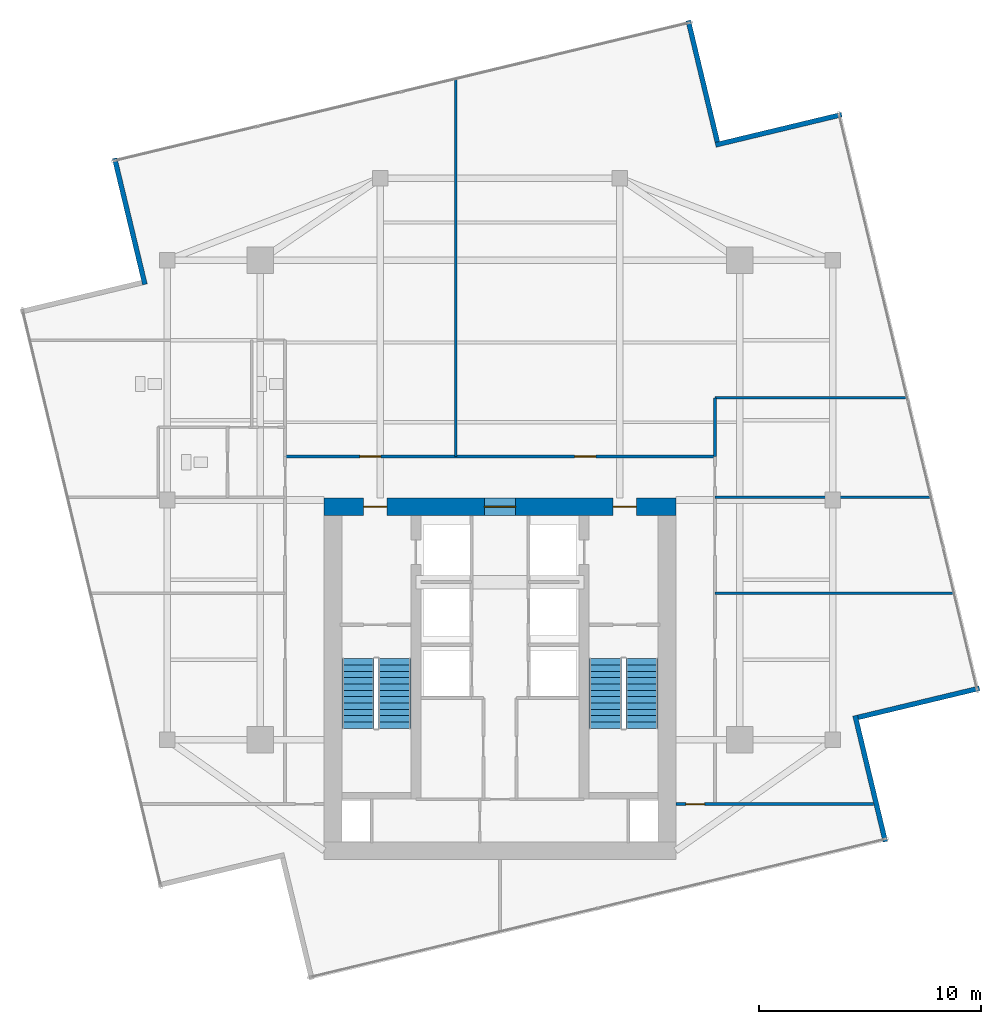
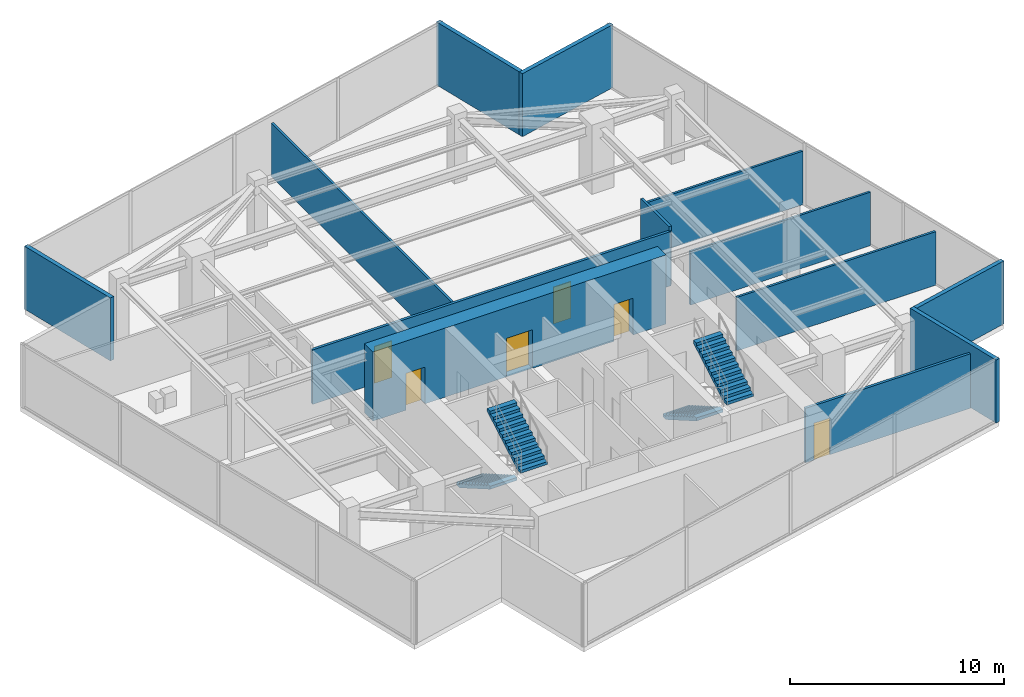
# One storey, part 20 of 22: 13 walls, 6 doors, 4 stair flights, 6 openings, 2 elements without a shape of their own.
"""IFC4 building model written with IfcOpenShell, lengths in metres."""

from ifc_helpers import new_model, si_unit, direction, frame, frame_2d, origin, place, context, subcontext, project, spatial, polyline, rectangle, outline, extrude, material, layer, layer_set, type_object, element, fill, aggregate, save


model = new_model("IFC4")

# Units and contexts
model_context = context("Model", 3, precision=1e-05, world=origin(), true_north=direction((0.0, 1.0)))
body_context = subcontext(model_context, "Body", "Model", "MODEL_VIEW")
ifc_project = project(units=[si_unit("LENGTHUNIT", "METRE"), si_unit("AREAUNIT", "SQUARE_METRE"), si_unit("VOLUMEUNIT", "CUBIC_METRE"), si_unit("PLANEANGLEUNIT", "RADIAN"), si_unit("MASSUNIT", "GRAM", prefix="KILO")], contexts=[model_context])

# Site, building, storey
site_placement = place(None, origin())
site = spatial("IfcSite", under=ifc_project, at=site_placement, CompositionType="ELEMENT")
building_placement = place(site_placement, origin())
building = spatial("IfcBuilding", under=site, at=building_placement, Name="Krantzveldt Concourse Tower", CompositionType="ELEMENT")
storey_placement = place(building_placement, frame((0.0, 0.0, 359.300048828125)))
storey = spatial("IfcBuildingStorey", under=building, at=storey_placement, Name="L88", CompositionType="ELEMENT", Elevation=359.300048828125)

# Walls
ifc_material_1 = material(Name="Anodised aluminium 6063-T6", Category="aluminium")
ifc_layer_1 = layer(ifc_material_1, 0.219970703125, Name="Anodised aluminium 6063-T6", Category="aluminium")
ifc_layer_set_1 = layer_set([ifc_layer_1], Name="Anodised aluminium 6063-T6 (WL-EXT-NOTCH220)")
wall_type_1 = type_object("IfcWallType", Name="WL-EXT-NOTCH220", PredefinedType="ELEMENTEDWALL", material=ifc_layer_set_1)
wall_1_placement = place(storey_placement, frame((45.794677734375, 42.832275390625, 0.0), z_axis=(0.0, 0.0, 1.0), x_axis=(-0.233466521361, 0.972364840687, 0.0)))
element("IfcWall", 1, at=wall_1_placement, inside=storey, type_object=wall_type_1, Name="EW-L88-NCH00", PredefinedType="ELEMENTEDWALL", context=body_context, shape_type="SweptSolid", body=[
    extrude(rectangle(XDim=5.625, YDim=0.219970703125, at=frame_2d((2.8125, 0.0))), origin(), (0.0, 0.0, 1.0), 3.599853515625),
])
for number, where, z_axis, x_axis, name in (
    (2, (18.635986328125, 42.096923828125, 0.0), (0.0, 0.0, 1.0), (0.233444040416, -0.972370238126, 0.0), "EW-L88-NCH02"),
    (3, (53.364013671875, 11.30322265625, 0.0), (0.0, 0.0, 1.0), (-0.233453521986, 0.972367961768, 0.0), "EW-L88-NCH08"),
):
    element("IfcWall", number, at=place(storey_placement, frame(where, z_axis=z_axis, x_axis=x_axis)), inside=storey, type_object=wall_type_1, Name=name, PredefinedType="ELEMENTEDWALL", context=body_context, shape_type="SweptSolid", body=[
        extrude(rectangle(XDim=5.844970703125, YDim=0.219970703125, at=frame_2d((2.92236328125, 0.0))), origin(), (0.0, 0.0, 1.0), 3.599853515625),
    ])
wall_2_placement = place(storey_placement, frame((52.13232421875, 16.9052734375, 0.0), z_axis=(0.0, 0.0, 1.0), x_axis=(0.972364840687, 0.233466521361, 0.0)))
element("IfcWall", 4, at=wall_2_placement, inside=storey, type_object=wall_type_1, Name="EW-L88-NCH09", PredefinedType="ELEMENTEDWALL", context=body_context, shape_type="SweptSolid", body=[
    extrude(rectangle(XDim=5.625, YDim=0.219970703125, at=frame_2d((2.8125, 0.0))), origin(), (0.0, 0.0, 1.0), 3.599853515625),
])
wall_3_placement = place(storey_placement, frame((51.396728515625, 44.064208984375, 0.0), z_axis=(0.0, 0.0, 1.0), x_axis=(-0.972367961768, -0.233453521986, 0.0)))
element("IfcWall", 5, at=wall_3_placement, inside=storey, type_object=wall_type_1, Name="EW-L88-NCH11", PredefinedType="ELEMENTEDWALL", context=body_context, shape_type="SweptSolid", body=[
    extrude(rectangle(XDim=5.844970703125, YDim=0.219970703125, at=frame_2d((2.92236328125, 0.0))), origin(), (0.0, 0.0, 1.0), 3.599853515625),
])
ifc_material_2 = material(Name="Fire-rated gypsum plasterboard on steel stud", Category="steel")
ifc_layer_2 = layer(ifc_material_2, 0.1201171875, Name="Fire-rated gypsum plasterboard on steel stud", Category="steel")
ifc_layer_set_2 = layer_set([ifc_layer_2], Name="Fire-rated gypsum plasterboard on steel stud (WL-PART-120)")
wall_type_2 = type_object("IfcWallType", Name="WL-PART-120", PredefinedType="PARTITIONING", material=ifc_layer_set_2)
wall_4_placement = place(storey_placement, frame((45.679931640625, 26.820068359375, 0.0), z_axis=(0.0, 0.0, 1.0), x_axis=(1.0, 0.0, 0.0)))
element("IfcWall", 6, at=wall_4_placement, inside=storey, type_object=wall_type_2, Name="WP-L88-PNTS", PredefinedType="PARTITIONING", context=body_context, shape_type="SweptSolid", body=[
    extrude(rectangle(XDim=9.738525390625, YDim=0.1201171875, at=frame_2d((4.869140625, 0.0))), origin(), (0.0, 0.0, 1.0), 3.06005859375),
])
wall_5_placement = place(storey_placement, frame((45.679931640625, 31.300048828125, 0.0), z_axis=(0.0, 0.0, 1.0), x_axis=(1.0, 0.0, 0.0)))
element("IfcWall", 7, at=wall_5_placement, inside=storey, type_object=wall_type_2, Name="WP-L88-PNTN", PredefinedType="PARTITIONING", context=body_context, shape_type="SweptSolid", body=[
    extrude(rectangle(XDim=8.6630859375, YDim=0.1201171875, at=frame_2d((4.33154296875, 0.0))), origin(), (0.0, 0.0, 1.0), 3.06005859375),
])
wall_6_placement = place(storey_placement, frame((34.0, 28.659912109375, 0.0), z_axis=(0.0, 0.0, 1.0), x_axis=(0.0, 1.0, 0.0)))
element("IfcWall", 8, at=wall_6_placement, inside=storey, type_object=wall_type_2, Name="WP-L88-ND1", PredefinedType="PARTITIONING", context=body_context, shape_type="SweptSolid", body=[
    extrude(rectangle(XDim=17.00732421875, YDim=0.1201171875, at=frame_2d((8.503662109375, 0.0))), origin(), (0.0, 0.0, 1.0), 3.06005859375),
])
wall_7_placement = place(storey_placement, frame((45.679931640625, 22.5, 0.0), z_axis=(0.0, 0.0, 1.0), x_axis=(1.0, 0.0, 0.0)))
element("IfcWall", 9, at=wall_7_placement, inside=storey, type_object=wall_type_2, Name="WP-L88-ED1", PredefinedType="PARTITIONING", context=body_context, shape_type="SweptSolid", body=[
    extrude(rectangle(XDim=10.77587890625, YDim=0.1201171875, at=frame_2d((5.387939453125, 0.0))), origin(), (0.0, 0.0, 1.0), 3.06005859375),
])

# Wall, openings, doors
ifc_layer_3 = layer(ifc_material_2, 0.139892578125, Name="Fire-rated gypsum plasterboard on steel stud", Category="steel")
ifc_layer_set_3 = layer_set([ifc_layer_3], Name="Fire-rated gypsum plasterboard on steel stud (WL-PART-140)")
wall_type_3 = type_object("IfcWallType", Name="WL-PART-140", PredefinedType="PARTITIONING", material=ifc_layer_set_3)
wall_8_placement = place(storey_placement, frame((26.320068359375, 28.659912109375, 0.0), z_axis=(0.0, 0.0, 1.0), x_axis=(1.0, 0.0, 0.0)))
wall_8 = element("IfcWall", 10, at=wall_8_placement, inside=storey, type_object=wall_type_3, Name="WP-L88-CNHDR", PredefinedType="PARTITIONING", context=body_context, shape_type="SweptSolid", body=[
    extrude(rectangle(XDim=19.35986328125, YDim=0.139892578125, at=frame_2d((9.679931640625, 0.0))), origin(), (0.0, 0.0, 1.0), 3.10986328125),
])
opening_1_placement = place(wall_8_placement, frame((3.364990234375, 0.0, 0.0)))
opening_1 = element("IfcOpeningElement", 11, at=opening_1_placement, cuts=wall_8, Name="Opening D-IN095", PredefinedType="OPENING", context=body_context, shape_type="SweptSolid", body=[
    extrude(rectangle(XDim=0.949951171875, YDim=2.10009765625, at=frame_2d((0.47509765625, 1.050048828125))), frame((0.0, 0.080078125, 0.0), z_axis=(0.0, -1.0, 0.0), x_axis=(1.0, 0.0, 0.0)), (0.0, 0.0, 1.0), 0.159912109375),
])
opening_2_placement = place(wall_8_placement, frame((13.044921875, 0.0, 0.0)))
opening_2 = element("IfcOpeningElement", 12, at=opening_2_placement, cuts=wall_8, Name="Opening D-IN095", PredefinedType="OPENING", context=body_context, shape_type="SweptSolid", body=[
    extrude(rectangle(XDim=0.949951171875, YDim=2.10009765625, at=frame_2d((0.47509765625, 1.050048828125))), frame((0.0, 0.080078125, 0.0), z_axis=(0.0, -1.0, 0.0), x_axis=(1.0, 0.0, 0.0)), (0.0, 0.0, 1.0), 0.159912109375),
])
ifc_material_3 = material(Name="Hardwood timber", Category="wood")
door_type_1 = type_object("IfcDoorType", Name="DR-INT-950", OperationType="SINGLE_SWING_LEFT", PredefinedType="DOOR", material=ifc_material_3)
door_1_placement = place(opening_1_placement, origin())
door_1 = element("IfcDoor", 13, at=door_1_placement, inside=storey, type_object=door_type_1, Name="DR-L88-NR1", OperationType="SINGLE_SWING_LEFT", OverallHeight=2.10009765625, OverallWidth=0.949951171875, PredefinedType="DOOR", context=body_context, shape_type="SweptSolid", body=[
    extrude(rectangle(XDim=0.949951171875, YDim=2.10009765625, at=frame_2d((0.47509765625, 1.050048828125))), frame((0.0, 0.02490234375, 0.0), z_axis=(0.0, -1.0, 0.0), x_axis=(1.0, 0.0, 0.0)), (0.0, 0.0, 1.0), 0.050048828125),
])
fill(opening_1, door_1)
door_2_placement = place(opening_2_placement, origin())
door_2 = element("IfcDoor", 14, at=door_2_placement, inside=storey, type_object=door_type_1, Name="DR-L88-NR2", OperationType="SINGLE_SWING_LEFT", OverallHeight=2.10009765625, OverallWidth=0.949951171875, PredefinedType="DOOR", context=body_context, shape_type="SweptSolid", body=[
    extrude(rectangle(XDim=0.949951171875, YDim=2.10009765625, at=frame_2d((0.47509765625, 1.050048828125))), frame((0.0, 0.02490234375, 0.0), z_axis=(0.0, -1.0, 0.0), x_axis=(1.0, 0.0, 0.0)), (0.0, 0.0, 1.0), 0.050048828125),
])
fill(opening_2, door_2)

# Wall, opening, door
wall_9_placement = place(storey_placement, frame((43.919921875, 13.0, 0.0), z_axis=(0.0, 0.0, 1.0), x_axis=(1.0, 0.0, 0.0)))
wall_9 = element("IfcWall", 15, at=wall_9_placement, inside=storey, type_object=wall_type_3, Name="WP-L88-CSBOTE", PredefinedType="PARTITIONING", context=body_context, shape_type="SweptSolid", body=[
    extrude(rectangle(XDim=8.91845703125, YDim=0.139892578125, at=frame_2d((4.459228515625, 0.0))), origin(), (0.0, 0.0, 1.0), 3.10986328125),
])
opening_3_placement = place(wall_9_placement, frame((0.455078125, 0.0, 0.0)))
opening_3 = element("IfcOpeningElement", 16, at=opening_3_placement, cuts=wall_9, Name="Opening D-IN085", PredefinedType="OPENING", context=body_context, shape_type="SweptSolid", body=[
    extrude(rectangle(XDim=0.85009765625, YDim=2.10009765625, at=frame_2d((0.425048828125, 1.050048828125))), frame((0.0, 0.080078125, 0.0), z_axis=(0.0, -1.0, 0.0), x_axis=(1.0, 0.0, 0.0)), (0.0, 0.0, 1.0), 0.159912109375),
])
door_type_2 = type_object("IfcDoorType", Name="DR-INT-850", OperationType="SINGLE_SWING_LEFT", PredefinedType="DOOR", material=ifc_material_3)
door_3_placement = place(opening_3_placement, origin())
door_3 = element("IfcDoor", 17, at=door_3_placement, inside=storey, type_object=door_type_2, Name="DR-L88-SR2", OperationType="SINGLE_SWING_LEFT", OverallHeight=2.10009765625, OverallWidth=0.85009765625, PredefinedType="DOOR", context=body_context, shape_type="SweptSolid", body=[
    extrude(rectangle(XDim=0.85009765625, YDim=2.10009765625, at=frame_2d((0.425048828125, 1.050048828125))), frame((0.0, 0.02490234375, 0.0), z_axis=(0.0, -1.0, 0.0), x_axis=(1.0, 0.0, 0.0)), (0.0, 0.0, 1.0), 0.050048828125),
])
fill(opening_3, door_3)

# Wall
wall_10_placement = place(storey_placement, frame((45.679931640625, 28.659912109375, 0.0), z_axis=(0.0, 0.0, 1.0), x_axis=(0.0, 1.0, 0.0)))
element("IfcWall", 18, at=wall_10_placement, inside=storey, type_object=wall_type_3, Name="WP-L88-NER", PredefinedType="PARTITIONING", context=body_context, shape_type="SweptSolid", body=[
    extrude(rectangle(XDim=2.64013671875, YDim=0.139892578125, at=frame_2d((1.320068359375, 0.0))), origin(), (0.0, 0.0, 1.0), 3.35986328125),
])

# Wall, openings, doors
ifc_material_4 = material(Name="Concrete C60/75", Category="concrete")
ifc_layer_4 = layer(ifc_material_4, 0.800048828125, Name="Concrete C60/75", Category="concrete")
ifc_layer_set_4 = layer_set([ifc_layer_4], Name="Concrete C60/75 (WL-SHEAR-800)")
wall_type_4 = type_object("IfcWallType", Name="WL-SHEAR-800", PredefinedType="SHEAR", material=ifc_layer_set_4)
wall_11_placement = place(storey_placement, frame((28.080078125, 26.39990234375, 0.0), z_axis=(0.0, 0.0, 1.0), x_axis=(1.0, 0.0, 0.0)))
wall_11 = element("IfcWall", 19, at=wall_11_placement, inside=storey, type_object=wall_type_4, Name="CW-L88-N", PredefinedType="SHEAR", context=body_context, shape_type="SweptSolid", body=[
    extrude(rectangle(XDim=15.83984375, YDim=0.800048828125, at=frame_2d((7.919921875, 0.0))), origin(), (0.0, 0.0, 1.0), 3.949951171875),
])
opening_4_placement = place(wall_11_placement, frame((7.219970703125, 0.0, 0.0)))
opening_4 = element("IfcOpeningElement", 20, at=opening_4_placement, cuts=wall_11, Name="Opening D-DB140", PredefinedType="OPENING", context=body_context, shape_type="SweptSolid", body=[
    extrude(rectangle(XDim=1.39990234375, YDim=2.199951171875, at=frame_2d((0.699951171875, 1.10009765625))), frame((0.0, 0.41015625, 0.0), z_axis=(0.0, -1.0, 0.0), x_axis=(1.0, 0.0, 0.0)), (0.0, 0.0, 1.0), 0.820068359375),
])
opening_5_placement = place(wall_11_placement, frame((1.77490234375, 0.0, 0.0)))
opening_5 = element("IfcOpeningElement", 21, at=opening_5_placement, cuts=wall_11, Name="Opening D-FD105", PredefinedType="OPENING", context=body_context, shape_type="SweptSolid", body=[
    extrude(rectangle(XDim=1.050048828125, YDim=2.10009765625, at=frame_2d((0.52490234375, 1.050048828125))), frame((0.0, 0.41015625, 0.0), z_axis=(0.0, -1.0, 0.0), x_axis=(1.0, 0.0, 0.0)), (0.0, 0.0, 1.0), 0.820068359375),
])
opening_6_placement = place(wall_11_placement, frame((13.014892578125, 0.0, 0.0)))
opening_6 = element("IfcOpeningElement", 22, at=opening_6_placement, cuts=wall_11, Name="Opening D-FD105", PredefinedType="OPENING", context=body_context, shape_type="SweptSolid", body=[
    extrude(rectangle(XDim=1.050048828125, YDim=2.10009765625, at=frame_2d((0.52490234375, 1.050048828125))), frame((0.0, 0.41015625, 0.0), z_axis=(0.0, -1.0, 0.0), x_axis=(1.0, 0.0, 0.0)), (0.0, 0.0, 1.0), 0.820068359375),
])
door_type_3 = type_object("IfcDoorType", Name="DR-DBL-1400", OperationType="DOUBLE_DOOR_SINGLE_SWING", PredefinedType="DOOR", material=ifc_material_1)
door_4_placement = place(opening_4_placement, origin())
door_4 = element("IfcDoor", 23, at=door_4_placement, inside=storey, type_object=door_type_3, Name="DR-L88-LLB", OperationType="DOUBLE_DOOR_SINGLE_SWING", OverallHeight=2.199951171875, OverallWidth=1.39990234375, PredefinedType="DOOR", context=body_context, shape_type="SweptSolid", body=[
    extrude(rectangle(XDim=1.39990234375, YDim=2.199951171875, at=frame_2d((0.699951171875, 1.10009765625))), frame((0.0, 0.02490234375, 0.0), z_axis=(0.0, -1.0, 0.0), x_axis=(1.0, 0.0, 0.0)), (0.0, 0.0, 1.0), 0.050048828125),
])
fill(opening_4, door_4)
ifc_material_5 = material(Name="Galvanised steel", Category="steel")
door_type_4 = type_object("IfcDoorType", Name="DR-FD120-1050", OperationType="SINGLE_SWING_LEFT", PredefinedType="DOOR", material=ifc_material_5)
door_5_placement = place(opening_5_placement, origin())
door_5 = element("IfcDoor", 24, at=door_5_placement, inside=storey, type_object=door_type_4, Name="DR-L88-FFL1", OperationType="SINGLE_SWING_LEFT", OverallHeight=2.10009765625, OverallWidth=1.050048828125, PredefinedType="DOOR", context=body_context, shape_type="SweptSolid", body=[
    extrude(rectangle(XDim=1.050048828125, YDim=2.10009765625, at=frame_2d((0.52490234375, 1.050048828125))), frame((0.0, 0.02490234375, 0.0), z_axis=(0.0, -1.0, 0.0), x_axis=(1.0, 0.0, 0.0)), (0.0, 0.0, 1.0), 0.050048828125),
])
fill(opening_5, door_5)
door_6_placement = place(opening_6_placement, origin())
door_6 = element("IfcDoor", 25, at=door_6_placement, inside=storey, type_object=door_type_4, Name="DR-L88-FFL2", OperationType="SINGLE_SWING_RIGHT", OverallHeight=2.10009765625, OverallWidth=1.050048828125, PredefinedType="DOOR", context=body_context, shape_type="SweptSolid", body=[
    extrude(rectangle(XDim=1.050048828125, YDim=2.10009765625, at=frame_2d((0.52490234375, 1.050048828125))), frame((0.0, 0.02490234375, 0.0), z_axis=(0.0, -1.0, 0.0), x_axis=(1.0, 0.0, 0.0)), (0.0, 0.0, 1.0), 0.050048828125),
])
fill(opening_6, door_6)

# Stair, stair flights
ifc_material_6 = material(Name="Precast concrete C40/50", Category="concrete")
stair_type = type_object("IfcStairType", Name="STR-CORE-DOGLEG", PredefinedType="HALF_TURN_STAIR", material=ifc_material_6)
stair_1_placement = place(storey_placement, origin())
stair_1 = element("IfcStair", 26, at=stair_1_placement, inside=storey, type_object=stair_type, Name="L88 Protected Escape Stair ST-1", PredefinedType="HALF_TURN_STAIR")
stair_flight_type = type_object("IfcStairFlightType", Name="STF-CORE-1450", PredefinedType="STRAIGHT", material=ifc_material_6)
stair_flight_1_placement = place(storey_placement, frame((29.60498046875, 19.550048828125, 0.0), z_axis=(0.0, 0.0, 1.0), x_axis=(0.0, -1.0, 0.0)))
stair_flight_1 = element("IfcStairFlight", 27, at=stair_flight_1_placement, type_object=stair_flight_type, Name="ST-1 flight 1", NumberOfRisers=12, NumberOfTreads=11, PredefinedType="STRAIGHT", RiserHeight=0.164583333, TreadLength=0.285, context=body_context, shape_type="SweptSolid", body=[
    extrude(outline(polyline([(0.0, 0.0), (0.0, 0.16455078125), (0.284912109375, 0.16455078125), (0.284912109375, 0.3291015625), (0.570068359375, 0.3291015625), (0.570068359375, 0.49365234375), (0.85498046875, 0.49365234375), (0.85498046875, 0.658447265625), (1.139892578125, 0.658447265625), (1.139892578125, 0.822998046875), (1.425048828125, 0.822998046875), (1.425048828125, 0.987548828125), (1.7099609375, 0.987548828125), (1.7099609375, 1.152099609375), (1.9951171875, 1.152099609375), (1.9951171875, 1.316650390625), (2.280029296875, 1.316650390625), (2.280029296875, 1.481201171875), (2.56494140625, 1.481201171875), (2.56494140625, 1.645751953125), (2.85009765625, 1.645751953125), (2.85009765625, 1.810302734375), (3.135009765625, 1.810302734375), (3.135009765625, 1.97509765625), (3.135009765625, 1.63720703125), (0.2998046875, 0.0), (0.0, 0.0)])), frame((0.0, 0.72509765625, 0.0), z_axis=(0.0, -1.0, 0.0), x_axis=(1.0, 0.0, 0.0)), (0.0, 0.0, 1.0), 1.449951171875),
])
stair_flight_2_placement = place(storey_placement, frame((31.2548828125, 16.4150390625, 1.974853515625), z_axis=(0.0, 0.0, 1.0), x_axis=(0.0, 1.0, 0.0)))
stair_flight_2 = element("IfcStairFlight", 28, at=stair_flight_2_placement, type_object=stair_flight_type, Name="ST-1 flight 2", NumberOfRisers=12, NumberOfTreads=11, PredefinedType="STRAIGHT", RiserHeight=0.164583333, TreadLength=0.285, context=body_context, shape_type="SweptSolid", body=[
    extrude(outline(polyline([(0.0, 0.0), (0.0, 0.16455078125), (0.284912109375, 0.16455078125), (0.284912109375, 0.3291015625), (0.570068359375, 0.3291015625), (0.570068359375, 0.49365234375), (0.85498046875, 0.49365234375), (0.85498046875, 0.658447265625), (1.139892578125, 0.658447265625), (1.139892578125, 0.822998046875), (1.425048828125, 0.822998046875), (1.425048828125, 0.987548828125), (1.7099609375, 0.987548828125), (1.7099609375, 1.152099609375), (1.9951171875, 1.152099609375), (1.9951171875, 1.316650390625), (2.280029296875, 1.316650390625), (2.280029296875, 1.481201171875), (2.56494140625, 1.481201171875), (2.56494140625, 1.645751953125), (2.85009765625, 1.645751953125), (2.85009765625, 1.810302734375), (3.135009765625, 1.810302734375), (3.135009765625, 1.97509765625), (3.135009765625, 1.63720703125), (0.2998046875, 0.0), (0.0, 0.0)])), frame((0.0, 0.72509765625, 0.0), z_axis=(0.0, -1.0, 0.0), x_axis=(1.0, 0.0, 0.0)), (0.0, 0.0, 1.0), 1.449951171875),
])
aggregate(stair_1, [stair_flight_1, stair_flight_2])

stair_2_placement = place(storey_placement, origin())
stair_2 = element("IfcStair", 29, at=stair_2_placement, inside=storey, type_object=stair_type, Name="L88 Protected Escape Stair ST-2", PredefinedType="HALF_TURN_STAIR")
stair_flight_3_placement = place(storey_placement, frame((40.7451171875, 19.550048828125, 0.0), z_axis=(0.0, 0.0, 1.0), x_axis=(0.0, -1.0, 0.0)))
stair_flight_3 = element("IfcStairFlight", 30, at=stair_flight_3_placement, type_object=stair_flight_type, Name="ST-2 flight 1", NumberOfRisers=12, NumberOfTreads=11, PredefinedType="STRAIGHT", RiserHeight=0.164583333, TreadLength=0.285, context=body_context, shape_type="SweptSolid", body=[
    extrude(outline(polyline([(0.0, 0.0), (0.0, 0.16455078125), (0.284912109375, 0.16455078125), (0.284912109375, 0.3291015625), (0.570068359375, 0.3291015625), (0.570068359375, 0.49365234375), (0.85498046875, 0.49365234375), (0.85498046875, 0.658447265625), (1.139892578125, 0.658447265625), (1.139892578125, 0.822998046875), (1.425048828125, 0.822998046875), (1.425048828125, 0.987548828125), (1.7099609375, 0.987548828125), (1.7099609375, 1.152099609375), (1.9951171875, 1.152099609375), (1.9951171875, 1.316650390625), (2.280029296875, 1.316650390625), (2.280029296875, 1.481201171875), (2.56494140625, 1.481201171875), (2.56494140625, 1.645751953125), (2.85009765625, 1.645751953125), (2.85009765625, 1.810302734375), (3.135009765625, 1.810302734375), (3.135009765625, 1.97509765625), (3.135009765625, 1.63720703125), (0.2998046875, 0.0), (0.0, 0.0)])), frame((0.0, 0.72509765625, 0.0), z_axis=(0.0, -1.0, 0.0), x_axis=(1.0, 0.0, 0.0)), (0.0, 0.0, 1.0), 1.449951171875),
])
stair_flight_4_placement = place(storey_placement, frame((42.39501953125, 16.4150390625, 1.974853515625), z_axis=(0.0, 0.0, 1.0), x_axis=(0.0, 1.0, 0.0)))
stair_flight_4 = element("IfcStairFlight", 31, at=stair_flight_4_placement, type_object=stair_flight_type, Name="ST-2 flight 2", NumberOfRisers=12, NumberOfTreads=11, PredefinedType="STRAIGHT", RiserHeight=0.164583333, TreadLength=0.285, context=body_context, shape_type="SweptSolid", body=[
    extrude(outline(polyline([(0.0, 0.0), (0.0, 0.16455078125), (0.284912109375, 0.16455078125), (0.284912109375, 0.3291015625), (0.570068359375, 0.3291015625), (0.570068359375, 0.49365234375), (0.85498046875, 0.49365234375), (0.85498046875, 0.658447265625), (1.139892578125, 0.658447265625), (1.139892578125, 0.822998046875), (1.425048828125, 0.822998046875), (1.425048828125, 0.987548828125), (1.7099609375, 0.987548828125), (1.7099609375, 1.152099609375), (1.9951171875, 1.152099609375), (1.9951171875, 1.316650390625), (2.280029296875, 1.316650390625), (2.280029296875, 1.481201171875), (2.56494140625, 1.481201171875), (2.56494140625, 1.645751953125), (2.85009765625, 1.645751953125), (2.85009765625, 1.810302734375), (3.135009765625, 1.810302734375), (3.135009765625, 1.97509765625), (3.135009765625, 1.63720703125), (0.2998046875, 0.0), (0.0, 0.0)])), frame((0.0, 0.72509765625, 0.0), z_axis=(0.0, -1.0, 0.0), x_axis=(1.0, 0.0, 0.0)), (0.0, 0.0, 1.0), 1.449951171875),
])
aggregate(stair_2, [stair_flight_3, stair_flight_4])

save(model, "model.ifc")
